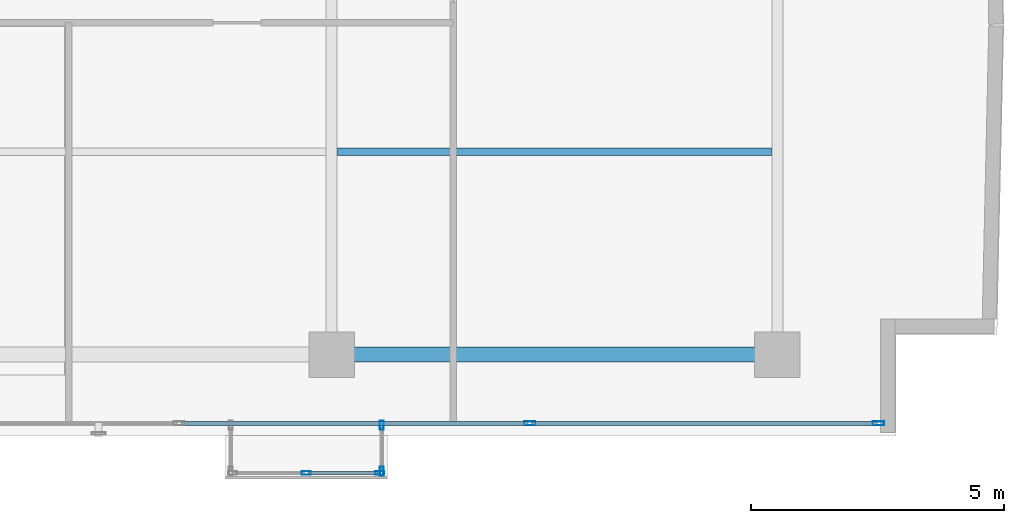
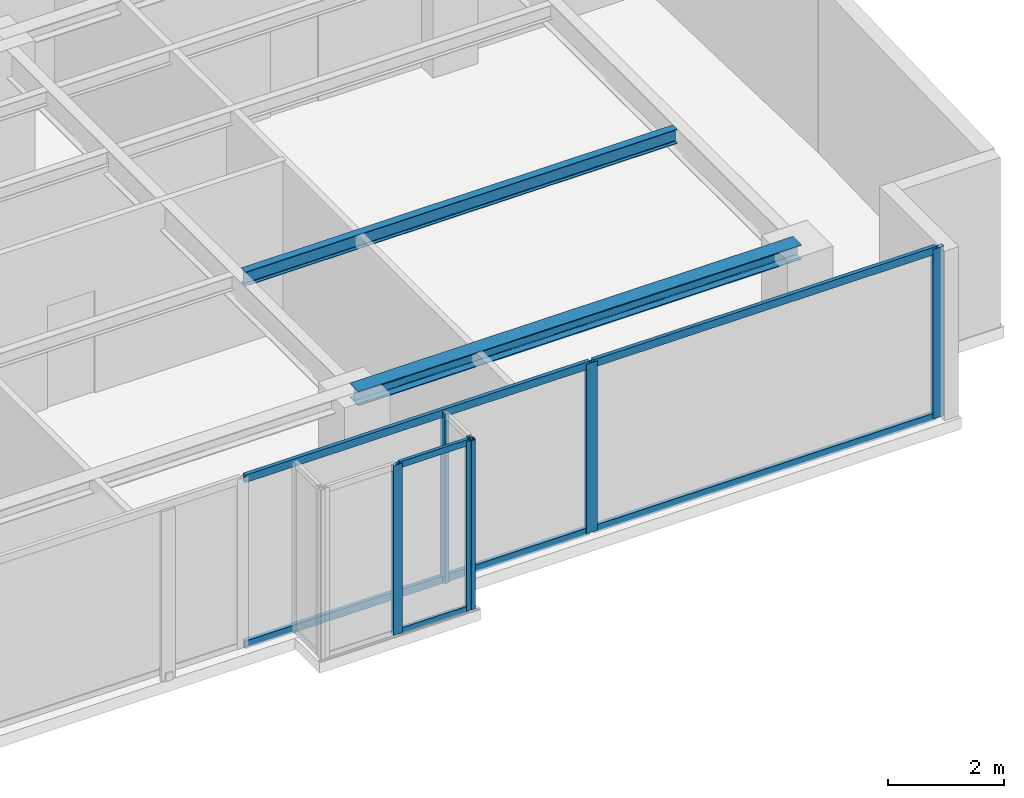
# One storey, part 11 of 24: 12 members, 2 beams, 3 elements without a shape of their own.
"""IFC4 building model written with IfcOpenShell, lengths in metres."""

from ifc_helpers import new_model, si_unit, direction, frame, origin, origin_with_axes, origin_2d, place, context, subcontext, project, spatial, hollow_rectangle, i_section, extrude, source, transform, mapped, material, layer, layer_set, material_profile, profile_set, type_object, element, aggregate, save


model = new_model("IFC4")

# Units and contexts
model_context = context("Model", 3, precision=1e-05, world=origin(), true_north=direction((0.0, 1.0)))
body_context = subcontext(model_context, "Body", "Model", "MODEL_VIEW")
ifc_project = project(units=[si_unit("LENGTHUNIT", "METRE"), si_unit("AREAUNIT", "SQUARE_METRE"), si_unit("VOLUMEUNIT", "CUBIC_METRE"), si_unit("PLANEANGLEUNIT", "RADIAN"), si_unit("MASSUNIT", "GRAM", prefix="KILO")], contexts=[model_context])

# Site, building, storey
site_placement = place(None, origin())
site = spatial("IfcSite", under=ifc_project, at=site_placement, CompositionType="ELEMENT")
building_placement = place(site_placement, origin())
building = spatial("IfcBuilding", under=site, at=building_placement, Name="Kolvaren Waterfront Exchange", CompositionType="ELEMENT")
storey_placement = place(building_placement, frame((0.0, 0.0, 331.199951171875)))
storey = spatial("IfcBuildingStorey", under=building, at=storey_placement, Name="L85", CompositionType="ELEMENT", Elevation=331.199951171875)

# Beams
ifc_material_1 = material(Name="Steel S355", Category="steel")
ifc_material_profile_1 = material_profile(ifc_material_1, i_section(OverallWidth=0.300048828125, OverallDepth=0.300048828125, WebThickness=0.010986328125, FlangeThickness=0.01904296875, FilletRadius=0.027099609375, at=origin_2d()), Name="HEB300")
ifc_profile_set_1 = profile_set([ifc_material_profile_1], Name="Steel S355")
beam_type_1 = type_object("IfcBeamType", Name="STR-BM-HEB300", PredefinedType="SPANDREL", material=ifc_profile_set_1)
beam_1_placement = place(storey_placement, frame((36.800048828125, 5.199951171875, 3.41015625), z_axis=(1.0, 0.0, 0.0), x_axis=(0.0, 1.0, 0.0)))
element("IfcBeam", 1, at=beam_1_placement, inside=storey, type_object=beam_type_1, Name="L85 east-arm spandrel S3", PredefinedType="SPANDREL", context=body_context, shape_type="SweptSolid", body=[
    extrude(i_section(OverallWidth=0.300048828125, OverallDepth=0.300048828125, WebThickness=0.010986328125, FlangeThickness=0.01904296875, FilletRadius=0.027099609375, at=origin_2d()), origin(), (0.0, 0.0, 1.0), 8.800048828125),
])
ifc_material_profile_2 = material_profile(ifc_material_1, i_section(OverallWidth=0.14990234375, OverallDepth=0.300048828125, WebThickness=0.007080078125, FlangeThickness=0.0107421875, FilletRadius=0.014892578125, at=origin_2d()), Name="IPE300")
ifc_profile_set_2 = profile_set([ifc_material_profile_2], Name="Steel S355")
beam_type_2 = type_object("IfcBeamType", Name="STR-BM-IPE300", PredefinedType="JOIST", material=ifc_profile_set_2)
beam_2_placement = place(storey_placement, frame((36.912109375, 9.199951171875, 3.41015625), z_axis=(1.0, 0.0, 0.0), x_axis=(0.0, 1.0, 0.0)))
element("IfcBeam", 2, at=beam_2_placement, inside=storey, type_object=beam_type_2, Name="L85 east-arm composite joist 3B", PredefinedType="JOIST", context=body_context, shape_type="SweptSolid", body=[
    extrude(i_section(OverallWidth=0.14990234375, OverallDepth=0.300048828125, WebThickness=0.007080078125, FlangeThickness=0.0107421875, FilletRadius=0.014892578125, at=origin_2d()), origin(), (0.0, 0.0, 1.0), 8.575927734375),
])

# Curtain wall, members
ifc_material_2 = material(Name="Anodised bronze aluminium 6063-T6", Category="aluminium")
ifc_layer_1 = layer(ifc_material_2, 0.219970703125, Name="Anodised bronze aluminium 6063-T6")
ifc_layer_set_1 = layer_set([ifc_layer_1], Name="Anodised bronze aluminium 6063-T6")
curtain_wall_type_1 = type_object("IfcCurtainWallType", Name="ARC-CW-SYS3", PredefinedType="USERDEFINED", material=ifc_layer_set_1)
curtain_wall_1_placement = place(storey_placement, origin())
curtain_wall_1 = element("IfcCurtainWall", 3, at=curtain_wall_1_placement, inside=storey, type_object=curtain_wall_type_1, Name="L85 stick curtain wall CW3 (CW-L85-BOX)", ObjectType="STICK CURTAIN WALL", PredefinedType="USERDEFINED")
ifc_material_profile_3 = material_profile(ifc_material_2, hollow_rectangle(XDim=0.06494140625, YDim=0.1298828125, WallThickness=0.00390625, at=origin_2d()), Name="ALU-TRN-130x65x4")
ifc_profile_set_3 = profile_set([ifc_material_profile_3], Name="Anodised bronze aluminium 6063-T6")
member_type_1 = type_object("IfcMemberType", Name="ARC-CWT-130", PredefinedType="USERDEFINED", material=ifc_profile_set_3)
shared_shape_1 = source(origin_with_axes(), body_context, "Body", "SweptSolid", [
    extrude(hollow_rectangle(XDim=0.06494140625, YDim=0.1298828125, WallThickness=0.00390625, at=origin_2d()), origin(), (0.0, 0.0, 1.0), 1.377685546875),
])
member_1_placement = place(storey_placement, frame((36.33740234375, 2.860107421875, 0.032470703125), z_axis=(1.0, 0.0, 0.0), x_axis=(0.0, 1.0, 0.0)))
member_1 = element("IfcMember", 4, at=member_1_placement, type_object=member_type_1, Name="CW3 transom 2.1", ObjectType="TRANSOM", PredefinedType="USERDEFINED", context=body_context, shape_type="MappedRepresentation", body=[
    mapped(shared_shape_1, transform((0.0, 0.0, 0.0), x_axis=(1.0, 0.0, 0.0), y_axis=(0.0, 1.0, 0.0), z_axis=(0.0, 0.0, 1.0), scale=1.0)),
])
member_2_placement = place(storey_placement, frame((36.33740234375, 2.860107421875, 3.527587890625), z_axis=(1.0, 0.0, 0.0), x_axis=(0.0, 1.0, 0.0)))
member_2 = element("IfcMember", 5, at=member_2_placement, type_object=member_type_1, Name="CW3 transom 2.2", ObjectType="TRANSOM", PredefinedType="USERDEFINED", context=body_context, shape_type="MappedRepresentation", body=[
    mapped(shared_shape_1, transform((0.0, 0.0, 0.0), x_axis=(1.0, 0.0, 0.0), y_axis=(0.0, 1.0, 0.0), z_axis=(0.0, 0.0, 1.0), scale=1.0)),
])
ifc_material_profile_4 = material_profile(ifc_material_2, hollow_rectangle(XDim=0.074951171875, YDim=0.179931640625, WallThickness=0.00439453125, at=origin_2d()), Name="ALU-MUL-180x75x4.5")
ifc_profile_set_4 = profile_set([ifc_material_profile_4], Name="Anodised bronze aluminium 6063-T6")
member_type_2 = type_object("IfcMemberType", Name="ARC-CWM-180", PredefinedType="MULLION", material=ifc_profile_set_4)
shared_shape_2 = source(origin_with_axes(), body_context, "Body", "SweptSolid", [
    extrude(hollow_rectangle(XDim=0.074951171875, YDim=0.179931640625, WallThickness=0.00439453125, at=origin_2d()), origin(), (0.0, 0.0, 1.0), 3.56005859375),
])
member_3_placement = place(storey_placement, frame((36.300048828125, 2.860107421875, 0.0), z_axis=(0.0, 0.0, 1.0), x_axis=(0.0, 1.0, 0.0)))
member_3 = element("IfcMember", 6, at=member_3_placement, type_object=member_type_2, Name="CW3 mullion 2", PredefinedType="MULLION", context=body_context, shape_type="MappedRepresentation", body=[
    mapped(shared_shape_2, transform((0.0, 0.0, 0.0), x_axis=(1.0, 0.0, 0.0), y_axis=(0.0, 1.0, 0.0), z_axis=(0.0, 0.0, 1.0), scale=1.0)),
])
member_4_placement = place(storey_placement, frame((37.75244140625, 2.860107421875, 0.0), z_axis=(0.0, 0.0, 1.0), x_axis=(0.0, 1.0, 0.0)))
member_4 = element("IfcMember", 7, at=member_4_placement, type_object=member_type_2, Name="CW3 mullion 3", PredefinedType="MULLION", context=body_context, shape_type="MappedRepresentation", body=[
    mapped(shared_shape_2, transform((0.0, 0.0, 0.0), x_axis=(1.0, 0.0, 0.0), y_axis=(0.0, 1.0, 0.0), z_axis=(0.0, 0.0, 1.0), scale=1.0)),
])
aggregate(curtain_wall_1, [member_3, member_4, member_1, member_2])

curtain_wall_2_placement = place(storey_placement, origin())
curtain_wall_2 = element("IfcCurtainWall", 8, at=curtain_wall_2_placement, inside=storey, type_object=curtain_wall_type_1, Name="L85 stick curtain wall CW3 (CW-L85-BOX-E)", ObjectType="STICK CURTAIN WALL", PredefinedType="USERDEFINED")
member_5_placement = place(storey_placement, frame((37.7900390625, 2.8974609375, 0.0), z_axis=(0.0, 0.0, 1.0), x_axis=(-1.0, 0.0, 0.0)))
member_5 = element("IfcMember", 9, at=member_5_placement, type_object=member_type_2, Name="CW3 mullion 1", PredefinedType="MULLION", context=body_context, shape_type="MappedRepresentation", body=[
    mapped(shared_shape_2, transform((0.0, 0.0, 0.0), x_axis=(1.0, 0.0, 0.0), y_axis=(0.0, 1.0, 0.0), z_axis=(0.0, 0.0, 1.0), scale=1.0)),
])
member_6_placement = place(storey_placement, frame((37.7900390625, 3.802490234375, 0.0), z_axis=(0.0, 0.0, 1.0), x_axis=(-1.0, 0.0, 0.0)))
member_6 = element("IfcMember", 10, at=member_6_placement, type_object=member_type_2, Name="CW3 mullion 2", PredefinedType="MULLION", context=body_context, shape_type="MappedRepresentation", body=[
    mapped(shared_shape_2, transform((0.0, 0.0, 0.0), x_axis=(1.0, 0.0, 0.0), y_axis=(0.0, 1.0, 0.0), z_axis=(0.0, 0.0, 1.0), scale=1.0)),
])
aggregate(curtain_wall_2, [member_5, member_6])

ifc_layer_2 = layer(ifc_material_2, 0.219970703125, Name="Anodised bronze aluminium 6063-T6")
ifc_layer_set_2 = layer_set([ifc_layer_2], Name="Anodised bronze aluminium 6063-T6")
curtain_wall_type_2 = type_object("IfcCurtainWallType", Name="ARC-CW-SYS1", PredefinedType="USERDEFINED", material=ifc_layer_set_2)
curtain_wall_3_placement = place(storey_placement, origin())
curtain_wall_3 = element("IfcCurtainWall", 11, at=curtain_wall_3_placement, inside=storey, type_object=curtain_wall_type_2, Name="L85 stick curtain wall CW1 (CW-L85-S)", ObjectType="STICK CURTAIN WALL", PredefinedType="USERDEFINED")
ifc_material_3 = material(Name="Anodised aluminium 6063-T6", Category="aluminium")
ifc_material_profile_5 = material_profile(ifc_material_3, hollow_rectangle(XDim=0.080078125, YDim=0.219970703125, WallThickness=0.0048828125, at=origin_2d()), Name="ALU-MUL-220x80x5")
ifc_profile_set_5 = profile_set([ifc_material_profile_5], Name="Anodised aluminium 6063-T6")
member_type_3 = type_object("IfcMemberType", Name="ARC-CWM-220", PredefinedType="MULLION", material=ifc_profile_set_5)
shared_shape_3 = source(origin_with_axes(), body_context, "Body", "SweptSolid", [
    extrude(hollow_rectangle(XDim=0.080078125, YDim=0.219970703125, WallThickness=0.0048828125, at=origin_2d()), origin(), (0.0, 0.0, 1.0), 3.56005859375),
])
member_7_placement = place(storey_placement, frame((40.714111328125, 3.840087890625, 0.0), z_axis=(0.0, 0.0, 1.0), x_axis=(0.0, 1.0, 0.0)))
member_7 = element("IfcMember", 12, at=member_7_placement, type_object=member_type_3, Name="CW1 mullion 6", PredefinedType="MULLION", context=body_context, shape_type="MappedRepresentation", body=[
    mapped(shared_shape_3, transform((0.0, 0.0, 0.0), x_axis=(1.0, 0.0, 0.0), y_axis=(0.0, 1.0, 0.0), z_axis=(0.0, 0.0, 1.0), scale=1.0)),
])
member_8_placement = place(storey_placement, frame((47.5966796875, 3.840087890625, 0.0), z_axis=(0.0, 0.0, 1.0), x_axis=(0.0, 1.0, 0.0)))
member_8 = element("IfcMember", 13, at=member_8_placement, type_object=member_type_3, Name="CW1 mullion 7", PredefinedType="MULLION", context=body_context, shape_type="MappedRepresentation", body=[
    mapped(shared_shape_3, transform((0.0, 0.0, 0.0), x_axis=(1.0, 0.0, 0.0), y_axis=(0.0, 1.0, 0.0), z_axis=(0.0, 0.0, 1.0), scale=1.0)),
])
ifc_material_profile_6 = material_profile(ifc_material_3, hollow_rectangle(XDim=0.074951171875, YDim=0.159912109375, WallThickness=0.00439453125, at=origin_2d()), Name="ALU-TRN-160x75x4.5")
ifc_profile_set_6 = profile_set([ifc_material_profile_6], Name="Anodised aluminium 6063-T6")
member_type_4 = type_object("IfcMemberType", Name="ARC-CWT-160", PredefinedType="USERDEFINED", material=ifc_profile_set_6)
shared_shape_4 = source(origin_with_axes(), body_context, "Body", "SweptSolid", [
    extrude(hollow_rectangle(XDim=0.074951171875, YDim=0.159912109375, WallThickness=0.00439453125, at=origin_2d()), origin(), (0.0, 0.0, 1.0), 6.802978515625),
])
member_9_placement = place(storey_placement, frame((40.75390625, 3.840087890625, 0.03759765625), z_axis=(1.0, 0.0, 0.0), x_axis=(0.0, 1.0, 0.0)))
member_9 = element("IfcMember", 14, at=member_9_placement, type_object=member_type_4, Name="CW1 transom 6.1", ObjectType="TRANSOM", PredefinedType="USERDEFINED", context=body_context, shape_type="MappedRepresentation", body=[
    mapped(shared_shape_4, transform((0.0, 0.0, 0.0), x_axis=(1.0, 0.0, 0.0), y_axis=(0.0, 1.0, 0.0), z_axis=(0.0, 0.0, 1.0), scale=1.0)),
])
member_10_placement = place(storey_placement, frame((40.75390625, 3.840087890625, 3.5224609375), z_axis=(1.0, 0.0, 0.0), x_axis=(0.0, 1.0, 0.0)))
member_10 = element("IfcMember", 15, at=member_10_placement, type_object=member_type_4, Name="CW1 transom 6.2", ObjectType="TRANSOM", PredefinedType="USERDEFINED", context=body_context, shape_type="MappedRepresentation", body=[
    mapped(shared_shape_4, transform((0.0, 0.0, 0.0), x_axis=(1.0, 0.0, 0.0), y_axis=(0.0, 1.0, 0.0), z_axis=(0.0, 0.0, 1.0), scale=1.0)),
])
shared_shape_5 = source(origin_with_axes(), body_context, "Body", "SweptSolid", [
    extrude(hollow_rectangle(XDim=0.074951171875, YDim=0.159912109375, WallThickness=0.00439453125, at=origin_2d()), origin(), (0.0, 0.0, 1.0), 6.8427734375),
])
member_11_placement = place(storey_placement, frame((33.831298828125, 3.840087890625, 0.03759765625), z_axis=(1.0, 0.0, 0.0), x_axis=(0.0, 1.0, 0.0)))
member_11 = element("IfcMember", 16, at=member_11_placement, type_object=member_type_4, Name="CW1 transom 5.1", ObjectType="TRANSOM", PredefinedType="USERDEFINED", context=body_context, shape_type="MappedRepresentation", body=[
    mapped(shared_shape_5, transform((0.0, 0.0, 0.0), x_axis=(1.0, 0.0, 0.0), y_axis=(0.0, 1.0, 0.0), z_axis=(0.0, 0.0, 1.0), scale=1.0)),
])
member_12_placement = place(storey_placement, frame((33.831298828125, 3.840087890625, 3.5224609375), z_axis=(1.0, 0.0, 0.0), x_axis=(0.0, 1.0, 0.0)))
member_12 = element("IfcMember", 17, at=member_12_placement, type_object=member_type_4, Name="CW1 transom 5.2", ObjectType="TRANSOM", PredefinedType="USERDEFINED", context=body_context, shape_type="MappedRepresentation", body=[
    mapped(shared_shape_5, transform((0.0, 0.0, 0.0), x_axis=(1.0, 0.0, 0.0), y_axis=(0.0, 1.0, 0.0), z_axis=(0.0, 0.0, 1.0), scale=1.0)),
])
aggregate(curtain_wall_3, [member_7, member_8, member_11, member_12, member_9, member_10])

save(model, "model.ifc")
